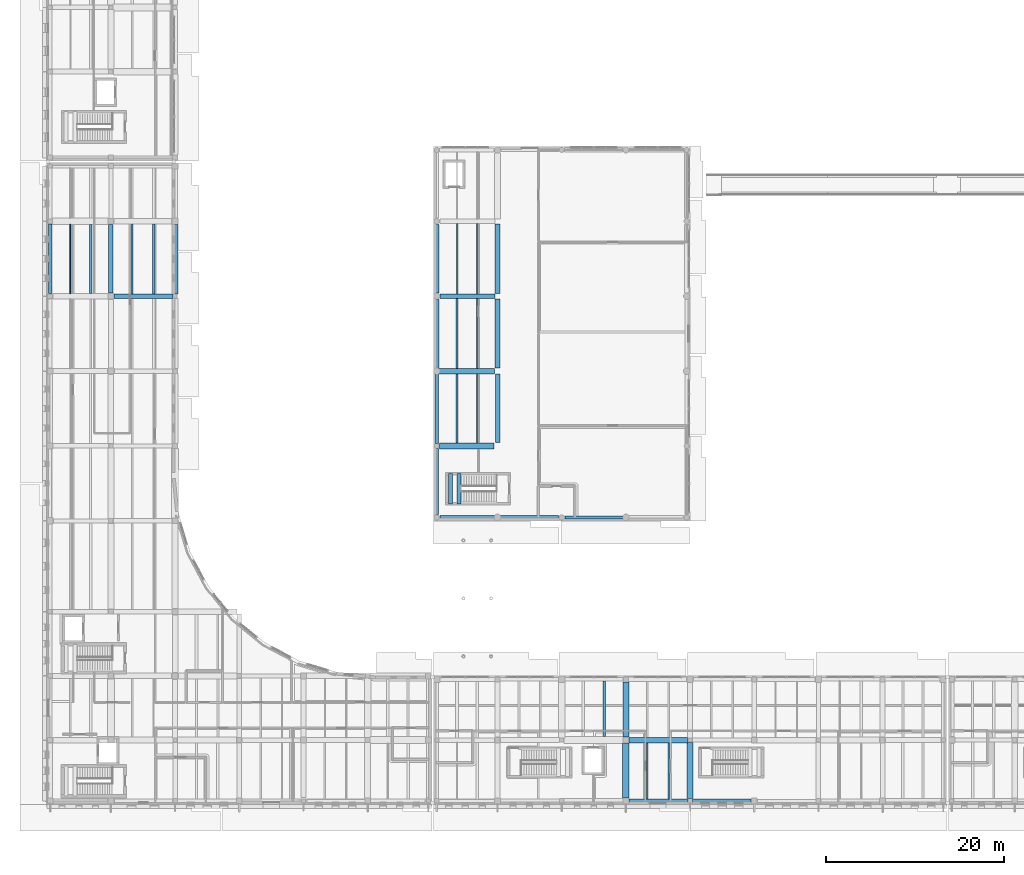
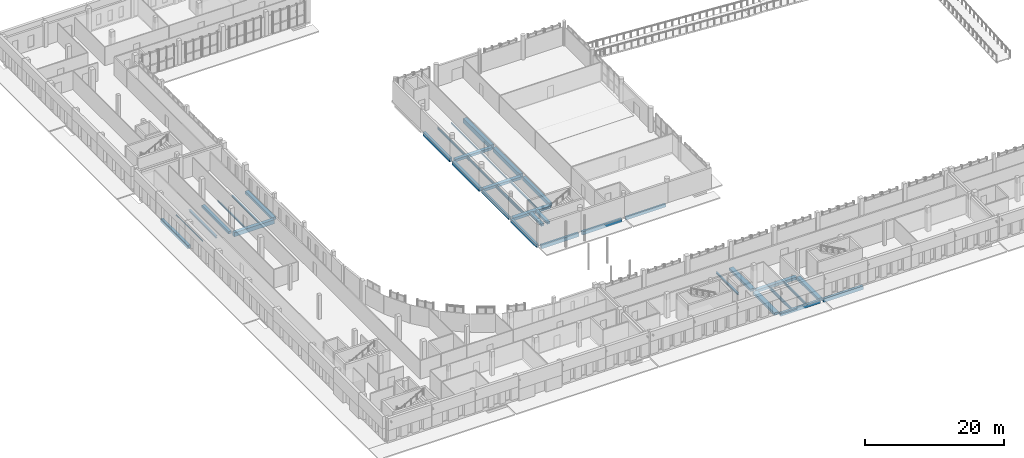
# One storey, part 13 of 77: 38 beams.
"""IFC4 building model written with IfcOpenShell, lengths in metres."""

from ifc_helpers import new_model, si_unit, direction, frame, origin, origin_2d, place, context, subcontext, project, spatial, rectangle, i_section, extrude, material, material_profile, profile_set, type_object, element, save


model = new_model("IFC4")

# Units and contexts
model_context = context("Model", 3, precision=1e-05, world=origin(), true_north=direction((0.0, 1.0)))
body_context = subcontext(model_context, "Body", "Model", "MODEL_VIEW")
ifc_project = project(units=[si_unit("LENGTHUNIT", "METRE"), si_unit("AREAUNIT", "SQUARE_METRE"), si_unit("VOLUMEUNIT", "CUBIC_METRE"), si_unit("PLANEANGLEUNIT", "RADIAN"), si_unit("MASSUNIT", "GRAM", prefix="KILO")], contexts=[model_context])

# Site, building, storey
site_placement = place(None, origin())
site = spatial("IfcSite", under=ifc_project, at=site_placement, CompositionType="ELEMENT")
building_placement = place(site_placement, origin())
building = spatial("IfcBuilding", under=site, at=building_placement, Name="Vardoun Plaza Health Centre", CompositionType="ELEMENT")
storey_placement = place(building_placement, origin())
storey = spatial("IfcBuildingStorey", under=building, at=storey_placement, Name="L00", CompositionType="ELEMENT", Elevation=0.0)

# Beams
ifc_material_1 = material(Name="Concrete C35/45", Category="concrete")
ifc_material_profile_1 = material_profile(ifc_material_1, rectangle(XDim=0.35009765625, YDim=0.5, at=origin_2d()), Name="RC-BM 350x500")
ifc_profile_set_1 = profile_set([ifc_material_profile_1], Name="Concrete C35/45")
beam_type_1 = type_object("IfcBeamType", Name="B-08", PredefinedType="SPANDREL", material=ifc_profile_set_1)
beam_1_placement = place(storey_placement, frame((62.6298828125, 36.679931640625, -0.530029296875), z_axis=(1.0, 0.0, 0.0), x_axis=(0.0, 1.0, 0.0)))
element("IfcBeam", 1, at=beam_1_placement, inside=storey, type_object=beam_type_1, Name="V1 L00 Beam B-V1-L00-X09", PredefinedType="SPANDREL", context=body_context, shape_type="SweptSolid", body=[
    extrude(rectangle(XDim=0.35009765625, YDim=0.5, at=origin_2d()), origin(), (0.0, 0.0, 1.0), 6.5751953125),
])
beam_2_placement = place(storey_placement, frame((48.260009765625, 45.0, -0.530029296875), z_axis=(0.0, 1.0, 0.0), x_axis=(-1.0, 0.0, 0.0)))
element("IfcBeam", 2, at=beam_2_placement, inside=storey, type_object=beam_type_1, Name="V1 L00 Beam B-V1-L00-Y14", PredefinedType="SPANDREL", context=body_context, shape_type="SweptSolid", body=[
    extrude(rectangle(XDim=0.35009765625, YDim=0.5, at=origin_2d()), origin(), (0.0, 0.0, 1.0), 7.824951171875),
])
ifc_material_2 = material(Name="Concrete C35/45", Category="concrete")
ifc_material_profile_2 = material_profile(ifc_material_2, rectangle(XDim=0.39990234375, YDim=0.550048828125, at=origin_2d()), Name="RC-BM 400x550")
ifc_profile_set_2 = profile_set([ifc_material_profile_2], Name="Concrete C35/45")
beam_type_2 = type_object("IfcBeamType", Name="B-09", PredefinedType="SPANDREL", material=ifc_profile_set_2)
beam_3_placement = place(storey_placement, frame((48.260009765625, 37.030029296875, -0.554931640625), z_axis=(0.0, 1.0, 0.0), x_axis=(-1.0, 0.0, 0.0)))
element("IfcBeam", 3, at=beam_3_placement, inside=storey, type_object=beam_type_2, Name="V1 L00 Beam B-V1-L00-Y13", PredefinedType="SPANDREL", context=body_context, shape_type="SweptSolid", body=[
    extrude(rectangle(XDim=0.39990234375, YDim=0.550048828125, at=origin_2d()), origin(), (0.0, 0.0, 1.0), 7.3701171875),
])
beam_4_placement = place(storey_placement, frame((69.830078125, 4.8798828125, -0.590087890625), z_axis=(1.0, 0.0, 0.0), x_axis=(0.0, 1.0, 0.0)))
element("IfcBeam", 4, at=beam_4_placement, inside=storey, type_object=beam_type_2, Name="V4 L00 Beam B-V4-L00-X10", PredefinedType="SPANDREL", context=body_context, shape_type="SweptSolid", body=[
    extrude(rectangle(XDim=0.39990234375, YDim=0.550048828125, at=origin_2d()), origin(), (0.0, 0.0, 1.0), 6.574951171875),
])
ifc_material_3 = material(Name="Concrete C35/45", Category="concrete")
ifc_material_profile_3 = material_profile(ifc_material_3, rectangle(XDim=0.419921875, YDim=0.580078125, at=origin_2d()), Name="RC-BM 420x580")
ifc_profile_set_3 = profile_set([ifc_material_profile_3], Name="Concrete C35/45")
beam_type_3 = type_object("IfcBeamType", Name="B-10", PredefinedType="SPANDREL", material=ifc_profile_set_3)
beam_5_placement = place(storey_placement, frame((55.35498046875, 36.679931640625, -0.570068359375), z_axis=(1.0, 0.0, 0.0), x_axis=(0.0, 1.0, 0.0)))
element("IfcBeam", 5, at=beam_5_placement, inside=storey, type_object=beam_type_3, Name="V1 L00 Beam B-V1-L00-X07", PredefinedType="SPANDREL", context=body_context, shape_type="SweptSolid", body=[
    extrude(rectangle(XDim=0.419921875, YDim=0.580078125, at=origin_2d()), origin(), (0.0, 0.0, 1.0), 6.574951171875),
])
beam_6_placement = place(storey_placement, frame((4.8798828125, 61.800048828125, -0.570068359375), z_axis=(0.0, 1.0, 0.0), x_axis=(-1.0, 0.0, 0.0)))
element("IfcBeam", 6, at=beam_6_placement, inside=storey, type_object=beam_type_3, Name="V2 L00 Beam B-V2-L00-Y41", PredefinedType="SPANDREL", context=body_context, shape_type="SweptSolid", body=[
    extrude(rectangle(XDim=0.419921875, YDim=0.580078125, at=origin_2d()), origin(), (0.0, 0.0, 1.0), 7.824951171875),
])
ifc_material_4 = material(Name="Concrete C35/45", Category="concrete")
ifc_material_profile_4 = material_profile(ifc_material_4, rectangle(XDim=0.449951171875, YDim=0.3798828125, at=origin_2d()), Name="RC-BM 450x380")
ifc_profile_set_4 = profile_set([ifc_material_profile_4], Name="Concrete C35/45")
beam_type_4 = type_object("IfcBeamType", Name="B-01", PredefinedType="BEAM", material=ifc_profile_set_4)
for number, where, z_axis, x_axis, name in (
    (7, (49.780029296875, 38.199951171875, 1.860107421875), (0.0, 1.0, 0.0), (-1.0, 0.0, 0.0), "Stair ST-C5-L00 Landing Beam 1"),
    (8, (50.780029296875, 38.199951171875, 1.860107421875), (0.0, 1.0, 0.0), (-1.0, 0.0, 0.0), "Stair ST-C5-L00 Landing Beam 2"),
):
    element("IfcBeam", number, at=place(storey_placement, frame(where, z_axis=z_axis, x_axis=x_axis)), inside=storey, type_object=beam_type_4, Name=name, PredefinedType="BEAM", context=body_context, shape_type="SweptSolid", body=[
        extrude(rectangle(XDim=0.449951171875, YDim=0.3798828125, at=origin_2d()), origin(), (0.0, 0.0, 1.0), 3.400146484375),
    ])
ifc_material_5 = material(Name="Concrete C35/45", Category="concrete")
ifc_material_profile_5 = material_profile(ifc_material_5, rectangle(XDim=0.449951171875, YDim=0.60009765625, at=origin_2d()), Name="RC-BM 450x600")
ifc_profile_set_5 = profile_set([ifc_material_profile_5], Name="Concrete C35/45")
beam_type_5 = type_object("IfcBeamType", Name="B-11", PredefinedType="SPANDREL", material=ifc_profile_set_5)
beam_7_placement = place(storey_placement, frame((48.610107421875, 36.679931640625, -0.580078125), z_axis=(1.0, 0.0, 0.0), x_axis=(0.0, 1.0, 0.0)))
element("IfcBeam", 9, at=beam_7_placement, inside=storey, type_object=beam_type_5, Name="V1 L00 Beam B-V1-L00-X01", PredefinedType="SPANDREL", context=body_context, shape_type="SweptSolid", body=[
    extrude(rectangle(XDim=0.449951171875, YDim=0.60009765625, at=origin_2d()), origin(), (0.0, 0.0, 1.0), 6.19482421875),
])
beam_8_placement = place(storey_placement, frame((48.260009765625, 61.875, -0.580078125), z_axis=(0.0, 1.0, 0.0), x_axis=(-1.0, 0.0, 0.0)))
element("IfcBeam", 10, at=beam_8_placement, inside=storey, type_object=beam_type_5, Name="V1 L00 Beam B-V1-L00-Y16", PredefinedType="SPANDREL", context=body_context, shape_type="SweptSolid", body=[
    extrude(rectangle(XDim=0.449951171875, YDim=0.60009765625, at=origin_2d()), origin(), (0.0, 0.0, 1.0), 7.675048828125),
])
beam_9_placement = place(storey_placement, frame((76.955078125, 4.8798828125, -0.614990234375), z_axis=(1.0, 0.0, 0.0), x_axis=(0.0, 1.0, 0.0)))
element("IfcBeam", 11, at=beam_9_placement, inside=storey, type_object=beam_type_5, Name="V4 L00 Beam B-V4-L00-X13", PredefinedType="SPANDREL", context=body_context, shape_type="SweptSolid", body=[
    extrude(rectangle(XDim=0.449951171875, YDim=0.60009765625, at=origin_2d()), origin(), (0.0, 0.0, 1.0), 6.574951171875),
])
ifc_material_6 = material(Name="Concrete C35/45", Category="concrete")
ifc_material_profile_6 = material_profile(ifc_material_6, rectangle(XDim=0.47998046875, YDim=0.6201171875, at=origin_2d()), Name="RC-BM 480x620")
ifc_profile_set_6 = profile_set([ifc_material_profile_6], Name="Concrete C35/45")
beam_type_6 = type_object("IfcBeamType", Name="B-12", PredefinedType="SPANDREL", material=ifc_profile_set_6)
beam_10_placement = place(storey_placement, frame((48.260009765625, 53.375, -0.590087890625), z_axis=(0.0, 1.0, 0.0), x_axis=(-1.0, 0.0, 0.0)))
element("IfcBeam", 12, at=beam_10_placement, inside=storey, type_object=beam_type_6, Name="V1 L00 Beam B-V1-L00-Y15", PredefinedType="SPANDREL", context=body_context, shape_type="SweptSolid", body=[
    extrude(rectangle(XDim=0.47998046875, YDim=0.6201171875, at=origin_2d()), origin(), (0.0, 0.0, 1.0), 7.75),
])
ifc_material_7 = material(Name="Concrete C35/45", Category="concrete")
ifc_material_profile_7 = material_profile(ifc_material_7, rectangle(XDim=0.5, YDim=0.39990234375, at=origin_2d()), Name="RC-BM 500x400")
ifc_profile_set_7 = profile_set([ifc_material_profile_7], Name="Concrete C35/45")
beam_type_7 = type_object("IfcBeamType", Name="B-02", PredefinedType="BEAM", material=ifc_profile_set_7)
beam_11_placement = place(storey_placement, frame((11.699951171875, 61.85009765625, -0.47998046875), z_axis=(0.0, 1.0, 0.0), x_axis=(-1.0, 0.0, 0.0)))
element("IfcBeam", 13, at=beam_11_placement, inside=storey, type_object=beam_type_7, Name="V2 L00 Beam B-V2-L00-Y48", PredefinedType="BEAM", context=body_context, shape_type="SweptSolid", body=[
    extrude(rectangle(XDim=0.5, YDim=0.39990234375, at=origin_2d()), origin(), (0.0, 0.0, 1.0), 7.724853515625),
])
ifc_material_8 = material(Name="Concrete C40/50", Category="concrete")
ifc_material_profile_8 = material_profile(ifc_material_8, rectangle(XDim=0.5, YDim=0.64990234375, at=origin_2d()), Name="RC-BM 500x650")
ifc_profile_set_8 = profile_set([ifc_material_profile_8], Name="Concrete C40/50")
beam_type_8 = type_object("IfcBeamType", Name="B-13", PredefinedType="BEAM", material=ifc_profile_set_8)
beam_12_placement = place(storey_placement, frame((55.080078125, 45.074951171875, -0.60498046875), z_axis=(0.0, 1.0, 0.0), x_axis=(-1.0, 0.0, 0.0)))
element("IfcBeam", 14, at=beam_12_placement, inside=storey, type_object=beam_type_8, Name="V1 L00 Beam B-V1-L00-Y18", PredefinedType="BEAM", context=body_context, shape_type="SweptSolid", body=[
    extrude(rectangle(XDim=0.5, YDim=0.64990234375, at=origin_2d()), origin(), (0.0, 0.0, 1.0), 7.675048828125),
])
ifc_material_9 = material(Name="Concrete C35/45", Category="concrete")
ifc_material_profile_9 = material_profile(ifc_material_9, rectangle(XDim=0.550048828125, YDim=0.419921875, at=origin_2d()), Name="RC-BM 550x420")
ifc_profile_set_9 = profile_set([ifc_material_profile_9], Name="Concrete C35/45")
beam_type_9 = type_object("IfcBeamType", Name="B-03", PredefinedType="BEAM", material=ifc_profile_set_9)
beam_13_placement = place(storey_placement, frame((48.635009765625, 61.5, -0.489990234375), z_axis=(1.0, 0.0, 0.0), x_axis=(0.0, 1.0, 0.0)))
element("IfcBeam", 15, at=beam_13_placement, inside=storey, type_object=beam_type_9, Name="V1 L00 Beam B-V1-L00-X04", PredefinedType="BEAM", context=body_context, shape_type="SweptSolid", body=[
    extrude(rectangle(XDim=0.550048828125, YDim=0.419921875, at=origin_2d()), origin(), (0.0, 0.0, 1.0), 6.14501953125),
])
ifc_material_10 = material(Name="Concrete C40/50", Category="concrete")
ifc_material_profile_10 = material_profile(ifc_material_10, rectangle(XDim=0.550048828125, YDim=0.719970703125, at=origin_2d()), Name="RC-BM 550x720")
ifc_profile_set_10 = profile_set([ifc_material_profile_10], Name="Concrete C40/50")
beam_type_10 = type_object("IfcBeamType", Name="B-14", PredefinedType="BEAM", material=ifc_profile_set_10)
beam_14_placement = place(storey_placement, frame((55.080078125, 53.449951171875, -0.639892578125), z_axis=(0.0, 1.0, 0.0), x_axis=(-1.0, 0.0, 0.0)))
element("IfcBeam", 16, at=beam_14_placement, inside=storey, type_object=beam_type_10, Name="V1 L00 Beam B-V1-L00-Y19", PredefinedType="BEAM", context=body_context, shape_type="SweptSolid", body=[
    extrude(rectangle(XDim=0.550048828125, YDim=0.719970703125, at=origin_2d()), origin(), (0.0, 0.0, 1.0), 7.75),
])
beam_15_placement = place(storey_placement, frame((12.050048828125, 61.5, -0.639892578125), z_axis=(1.0, 0.0, 0.0), x_axis=(0.0, 1.0, 0.0)))
element("IfcBeam", 17, at=beam_15_placement, inside=storey, type_object=beam_type_10, Name="V2 L00 Beam B-V2-L00-X18", PredefinedType="BEAM", context=body_context, shape_type="SweptSolid", body=[
    extrude(rectangle(XDim=0.550048828125, YDim=0.719970703125, at=origin_2d()), origin(), (0.0, 0.0, 1.0), 6.599853515625),
])
ifc_material_11 = material(Name="Concrete C35/45", Category="concrete")
ifc_material_profile_11 = material_profile(ifc_material_11, rectangle(XDim=0.60009765625, YDim=0.449951171875, at=origin_2d()), Name="RC-BM 600x450")
ifc_profile_set_11 = profile_set([ifc_material_profile_11], Name="Concrete C35/45")
beam_type_11 = type_object("IfcBeamType", Name="B-04", PredefinedType="BEAM", material=ifc_profile_set_11)
beam_16_placement = place(storey_placement, frame((48.534912109375, 53.10009765625, -0.5048828125), z_axis=(1.0, 0.0, 0.0), x_axis=(0.0, 1.0, 0.0)))
element("IfcBeam", 18, at=beam_16_placement, inside=storey, type_object=beam_type_11, Name="V1 L00 Beam B-V1-L00-X03", PredefinedType="BEAM", context=body_context, shape_type="SweptSolid", body=[
    extrude(rectangle(XDim=0.60009765625, YDim=0.449951171875, at=origin_2d()), origin(), (0.0, 0.0, 1.0), 6.195068359375),
])
beam_17_placement = place(storey_placement, frame((18.89990234375, 61.75, -0.5048828125), z_axis=(0.0, 1.0, 0.0), x_axis=(-1.0, 0.0, 0.0)))
element("IfcBeam", 19, at=beam_17_placement, inside=storey, type_object=beam_type_11, Name="V2 L00 Beam B-V2-L00-Y57", PredefinedType="BEAM", context=body_context, shape_type="SweptSolid", body=[
    extrude(rectangle(XDim=0.60009765625, YDim=0.449951171875, at=origin_2d()), origin(), (0.0, 0.0, 1.0), 7.775146484375),
])
beam_18_placement = place(storey_placement, frame((69.804931640625, 11.699951171875, -0.5400390625), z_axis=(1.0, 0.0, 0.0), x_axis=(0.0, 1.0, 0.0)))
element("IfcBeam", 20, at=beam_18_placement, inside=storey, type_object=beam_type_11, Name="V4 L00 Beam B-V4-L00-X11", PredefinedType="BEAM", context=body_context, shape_type="SweptSolid", body=[
    extrude(rectangle(XDim=0.60009765625, YDim=0.449951171875, at=origin_2d()), origin(), (0.0, 0.0, 1.0), 6.625),
])
ifc_material_12 = material(Name="Concrete C40/50", Category="concrete")
ifc_material_profile_12 = material_profile(ifc_material_12, rectangle(XDim=0.60009765625, YDim=0.800048828125, at=origin_2d()), Name="RC-BM 600x800")
ifc_profile_set_12 = profile_set([ifc_material_profile_12], Name="Concrete C40/50")
beam_type_12 = type_object("IfcBeamType", Name="B-15", PredefinedType="JOIST", material=ifc_profile_set_12)
beam_19_placement = place(storey_placement, frame((55.080078125, 61.800048828125, -0.679931640625), z_axis=(0.0, 1.0, 0.0), x_axis=(-1.0, 0.0, 0.0)))
element("IfcBeam", 21, at=beam_19_placement, inside=storey, type_object=beam_type_12, Name="V1 L00 Beam B-V1-L00-Y20", PredefinedType="JOIST", context=body_context, shape_type="SweptSolid", body=[
    extrude(rectangle(XDim=0.60009765625, YDim=0.800048828125, at=origin_2d()), origin(), (0.0, 0.0, 1.0), 7.824951171875),
])
ifc_material_13 = material(Name="Concrete C35/45", Category="concrete")
ifc_material_profile_13 = material_profile(ifc_material_13, rectangle(XDim=0.64990234375, YDim=0.449951171875, at=origin_2d()), Name="RC-BM 650x450")
ifc_profile_set_13 = profile_set([ifc_material_profile_13], Name="Concrete C35/45")
beam_type_13 = type_object("IfcBeamType", Name="B-05", PredefinedType="BEAM", material=ifc_profile_set_13)
beam_20_placement = place(storey_placement, frame((48.56005859375, 44.699951171875, -0.5048828125), z_axis=(1.0, 0.0, 0.0), x_axis=(0.0, 1.0, 0.0)))
element("IfcBeam", 22, at=beam_20_placement, inside=storey, type_object=beam_type_13, Name="V1 L00 Beam B-V1-L00-X02", PredefinedType="BEAM", context=body_context, shape_type="SweptSolid", body=[
    extrude(rectangle(XDim=0.64990234375, YDim=0.449951171875, at=origin_2d()), origin(), (0.0, 0.0, 1.0), 6.14501953125),
])
beam_21_placement = place(storey_placement, frame((76.679931640625, 5.155029296875, -0.5400390625), z_axis=(0.0, 1.0, 0.0), x_axis=(-1.0, 0.0, 0.0)))
element("IfcBeam", 23, at=beam_21_placement, inside=storey, type_object=beam_type_13, Name="V4 L00 Beam B-V4-L00-Y32", PredefinedType="BEAM", context=body_context, shape_type="SweptSolid", body=[
    extrude(rectangle(XDim=0.64990234375, YDim=0.449951171875, at=origin_2d()), origin(), (0.0, 0.0, 1.0), 6.294921875),
])
ifc_material_14 = material(Name="Concrete C35/45", Category="concrete")
ifc_material_profile_14 = material_profile(ifc_material_14, rectangle(XDim=0.699951171875, YDim=0.449951171875, at=origin_2d()), Name="RC-BM 700x450")
ifc_profile_set_14 = profile_set([ifc_material_profile_14], Name="Concrete C35/45")
beam_type_14 = type_object("IfcBeamType", Name="B-06", PredefinedType="BEAM", material=ifc_profile_set_14)
beam_22_placement = place(storey_placement, frame((69.47998046875, 12.02490234375, -0.5400390625), z_axis=(0.0, 1.0, 0.0), x_axis=(-1.0, 0.0, 0.0)))
element("IfcBeam", 24, at=beam_22_placement, inside=storey, type_object=beam_type_14, Name="V4 L00 Beam B-V4-L00-Y31", PredefinedType="BEAM", context=body_context, shape_type="SweptSolid", body=[
    extrude(rectangle(XDim=0.699951171875, YDim=0.449951171875, at=origin_2d()), origin(), (0.0, 0.0, 1.0), 6.195068359375),
])
ifc_material_15 = material(Name="Concrete C35/45", Category="concrete")
ifc_material_profile_15 = material_profile(ifc_material_15, rectangle(XDim=0.75, YDim=0.47998046875, at=origin_2d()), Name="RC-BM 750x480")
ifc_profile_set_15 = profile_set([ifc_material_profile_15], Name="Concrete C35/45")
beam_type_15 = type_object("IfcBeamType", Name="B-07", PredefinedType="BEAM", material=ifc_profile_set_15)
beam_23_placement = place(storey_placement, frame((69.47998046875, 5.22998046875, -0.554931640625), z_axis=(0.0, 1.0, 0.0), x_axis=(-1.0, 0.0, 0.0)))
element("IfcBeam", 25, at=beam_23_placement, inside=storey, type_object=beam_type_15, Name="V4 L00 Beam B-V4-L00-Y30", PredefinedType="BEAM", context=body_context, shape_type="SweptSolid", body=[
    extrude(rectangle(XDim=0.75, YDim=0.47998046875, at=origin_2d()), origin(), (0.0, 0.0, 1.0), 6.14501953125),
])
ifc_material_16 = material(Name="Steel S355J2", Category="steel")
ifc_material_profile_16 = material_profile(ifc_material_16, i_section(OverallWidth=0.280029296875, OverallDepth=0.27001953125, WebThickness=0.008056640625, FlangeThickness=0.012939453125, FilletRadius=0.02392578125, at=origin_2d()), Name="HEA 280")
ifc_profile_set_16 = profile_set([ifc_material_profile_16], Name="Steel S355J2")
beam_type_16 = type_object("IfcBeamType", Name="SB-06", PredefinedType="BEAM", material=ifc_profile_set_16)
beam_24_placement = place(storey_placement, frame((16.500244140625, 61.775146484375, -0.4150390625), z_axis=(0.0, 1.0, 0.0), x_axis=(-1.0, 0.0, 0.0)))
element("IfcBeam", 26, at=beam_24_placement, inside=storey, type_object=beam_type_16, Name="V2 L00 Secondary Floor Beam SJ-V2-L00-27", PredefinedType="BEAM", context=body_context, shape_type="SweptSolid", body=[
    extrude(i_section(OverallWidth=0.280029296875, OverallDepth=0.27001953125, WebThickness=0.008056640625, FlangeThickness=0.012939453125, FilletRadius=0.02392578125, at=origin_2d()), origin(), (0.0, 0.0, 1.0), 7.824951171875),
])
ifc_material_17 = material(Name="Steel S355J2", Category="steel")
ifc_material_profile_17 = material_profile(ifc_material_17, i_section(OverallWidth=0.280029296875, OverallDepth=0.280029296875, WebThickness=0.010498046875, FlangeThickness=0.01806640625, FilletRadius=0.02392578125, at=origin_2d()), Name="HEB 280")
ifc_profile_set_17 = profile_set([ifc_material_profile_17], Name="Steel S355J2")
beam_type_17 = type_object("IfcBeamType", Name="SB-02", PredefinedType="BEAM", material=ifc_profile_set_17)
beam_25_placement = place(storey_placement, frame((67.080078125, 12.074951171875, -0.455078125), z_axis=(0.0, 1.0, 0.0), x_axis=(-1.0, 0.0, 0.0)))
element("IfcBeam", 27, at=beam_25_placement, inside=storey, type_object=beam_type_17, Name="V4 L00 Secondary Floor Beam SJ-V4-L00-08", PredefinedType="BEAM", context=body_context, shape_type="SweptSolid", body=[
    extrude(i_section(OverallWidth=0.280029296875, OverallDepth=0.280029296875, WebThickness=0.010498046875, FlangeThickness=0.01806640625, FilletRadius=0.02392578125, at=origin_2d()), origin(), (0.0, 0.0, 1.0), 6.235107421875),
])
ifc_material_18 = material(Name="Steel S355J2", Category="steel")
ifc_material_profile_18 = material_profile(ifc_material_18, i_section(OverallWidth=0.300048828125, OverallDepth=0.360107421875, WebThickness=0.012451171875, FlangeThickness=0.0224609375, FilletRadius=0.027099609375, at=origin_2d()), Name="HEB 360")
ifc_profile_set_18 = profile_set([ifc_material_profile_18], Name="Steel S355J2")
beam_type_18 = type_object("IfcBeamType", Name="RB-04", PredefinedType="BEAM", material=ifc_profile_set_18)
beam_26_placement = place(storey_placement, frame((9.427001953125, 61.800048828125, -0.4599609375), z_axis=(0.0, 1.0, 0.0), x_axis=(-1.0, 0.0, 0.0)))
element("IfcBeam", 28, at=beam_26_placement, inside=storey, type_object=beam_type_18, Name="V2 L00 Secondary Floor Beam SJ-V2-L00-13", PredefinedType="BEAM", context=body_context, shape_type="SweptSolid", body=[
    extrude(i_section(OverallWidth=0.300048828125, OverallDepth=0.360107421875, WebThickness=0.012451171875, FlangeThickness=0.0224609375, FilletRadius=0.027099609375, at=origin_2d()), origin(), (0.0, 0.0, 1.0), 7.75),
])
ifc_material_19 = material(Name="Steel S355J2", Category="steel")
ifc_material_profile_19 = material_profile(ifc_material_19, i_section(OverallWidth=0.10009765625, OverallDepth=0.199951171875, WebThickness=0.005615234375, FlangeThickness=0.008544921875, FilletRadius=0.011962890625, at=origin_2d()), Name="IPE 200")
ifc_profile_set_19 = profile_set([ifc_material_profile_19], Name="Steel S355J2")
beam_type_19 = type_object("IfcBeamType", Name="SB-19", PredefinedType="SPANDREL", material=ifc_profile_set_19)
beam_27_placement = place(storey_placement, frame((7.153076171875, 61.800048828125, -0.3798828125), z_axis=(0.0, 1.0, 0.0), x_axis=(-1.0, 0.0, 0.0)))
element("IfcBeam", 29, at=beam_27_placement, inside=storey, type_object=beam_type_19, Name="V2 L00 Secondary Floor Beam SJ-V2-L00-06", PredefinedType="SPANDREL", context=body_context, shape_type="SweptSolid", body=[
    extrude(i_section(OverallWidth=0.10009765625, OverallDepth=0.199951171875, WebThickness=0.005615234375, FlangeThickness=0.008544921875, FilletRadius=0.011962890625, at=origin_2d()), origin(), (0.0, 0.0, 1.0), 7.75),
])
ifc_material_20 = material(Name="Steel S355J2", Category="steel")
ifc_material_profile_20 = material_profile(ifc_material_20, i_section(OverallWidth=0.1201171875, OverallDepth=0.239990234375, WebThickness=0.006103515625, FlangeThickness=0.009765625, FilletRadius=0.014892578125, at=origin_2d()), Name="IPE 240")
ifc_profile_set_20 = profile_set([ifc_material_profile_20], Name="Steel S355J2")
beam_type_20 = type_object("IfcBeamType", Name="SB-17", PredefinedType="JOIST", material=ifc_profile_set_20)
beam_28_placement = place(storey_placement, frame((52.806884765625, 61.775146484375, -0.39990234375), z_axis=(0.0, 1.0, 0.0), x_axis=(-1.0, 0.0, 0.0)))
element("IfcBeam", 30, at=beam_28_placement, inside=storey, type_object=beam_type_20, Name="V1 L00 Secondary Floor Beam SJ-V1-L00-07", PredefinedType="JOIST", context=body_context, shape_type="SweptSolid", body=[
    extrude(i_section(OverallWidth=0.1201171875, OverallDepth=0.239990234375, WebThickness=0.006103515625, FlangeThickness=0.009765625, FilletRadius=0.014892578125, at=origin_2d()), origin(), (0.0, 0.0, 1.0), 7.875),
])
ifc_material_21 = material(Name="Steel S355J2", Category="steel")
ifc_material_profile_21 = material_profile(ifc_material_21, i_section(OverallWidth=0.135009765625, OverallDepth=0.27001953125, WebThickness=0.006591796875, FlangeThickness=0.01025390625, FilletRadius=0.014892578125, at=origin_2d()), Name="IPE 270")
ifc_profile_set_21 = profile_set([ifc_material_profile_21], Name="Steel S355J2")
beam_type_21 = type_object("IfcBeamType", Name="SB-16", PredefinedType="JOIST", material=ifc_profile_set_21)
beam_29_placement = place(storey_placement, frame((52.806884765625, 53.400146484375, -0.4150390625), z_axis=(0.0, 1.0, 0.0), x_axis=(-1.0, 0.0, 0.0)))
element("IfcBeam", 31, at=beam_29_placement, inside=storey, type_object=beam_type_21, Name="V1 L00 Secondary Floor Beam SJ-V1-L00-06", PredefinedType="JOIST", context=body_context, shape_type="SweptSolid", body=[
    extrude(i_section(OverallWidth=0.135009765625, OverallDepth=0.27001953125, WebThickness=0.006591796875, FlangeThickness=0.01025390625, FilletRadius=0.014892578125, at=origin_2d()), origin(), (0.0, 0.0, 1.0), 7.824951171875),
])
ifc_material_22 = material(Name="Steel S355J2", Category="steel")
ifc_material_profile_22 = material_profile(ifc_material_22, i_section(OverallWidth=0.14990234375, OverallDepth=0.300048828125, WebThickness=0.007080078125, FlangeThickness=0.0107421875, FilletRadius=0.014892578125, at=origin_2d()), Name="IPE 300")
ifc_profile_set_22 = profile_set([ifc_material_profile_22], Name="Steel S355J2")
beam_type_22 = type_object("IfcBeamType", Name="SB-15", PredefinedType="JOIST", material=ifc_profile_set_22)
beam_30_placement = place(storey_placement, frame((52.806884765625, 45.025146484375, -0.429931640625), z_axis=(0.0, 1.0, 0.0), x_axis=(-1.0, 0.0, 0.0)))
element("IfcBeam", 32, at=beam_30_placement, inside=storey, type_object=beam_type_22, Name="V1 L00 Secondary Floor Beam SJ-V1-L00-05", PredefinedType="JOIST", context=body_context, shape_type="SweptSolid", body=[
    extrude(i_section(OverallWidth=0.14990234375, OverallDepth=0.300048828125, WebThickness=0.007080078125, FlangeThickness=0.0107421875, FilletRadius=0.014892578125, at=origin_2d()), origin(), (0.0, 0.0, 1.0), 7.77490234375),
])
beam_31_placement = place(storey_placement, frame((14.099853515625, 61.775146484375, -0.429931640625), z_axis=(0.0, 1.0, 0.0), x_axis=(-1.0, 0.0, 0.0)))
element("IfcBeam", 33, at=beam_31_placement, inside=storey, type_object=beam_type_22, Name="V2 L00 Secondary Floor Beam SJ-V2-L00-20", PredefinedType="JOIST", context=body_context, shape_type="SweptSolid", body=[
    extrude(i_section(OverallWidth=0.14990234375, OverallDepth=0.300048828125, WebThickness=0.007080078125, FlangeThickness=0.0107421875, FilletRadius=0.014892578125, at=origin_2d()), origin(), (0.0, 0.0, 1.0), 7.824951171875),
])
ifc_material_23 = material(Name="Steel S355J2", Category="steel")
ifc_material_profile_23 = material_profile(ifc_material_23, i_section(OverallWidth=0.169921875, OverallDepth=0.360107421875, WebThickness=0.008056640625, FlangeThickness=0.0126953125, FilletRadius=0.01806640625, at=origin_2d()), Name="IPE 360")
ifc_profile_set_23 = profile_set([ifc_material_profile_23], Name="Steel S355J2")
beam_type_23 = type_object("IfcBeamType", Name="SB-13", PredefinedType="JOIST", material=ifc_profile_set_23)
beam_32_placement = place(storey_placement, frame((50.533203125, 61.775146484375, -0.4599609375), z_axis=(0.0, 1.0, 0.0), x_axis=(-1.0, 0.0, 0.0)))
element("IfcBeam", 34, at=beam_32_placement, inside=storey, type_object=beam_type_23, Name="V1 L00 Secondary Floor Beam SJ-V1-L00-03", PredefinedType="JOIST", context=body_context, shape_type="SweptSolid", body=[
    extrude(i_section(OverallWidth=0.169921875, OverallDepth=0.360107421875, WebThickness=0.008056640625, FlangeThickness=0.0126953125, FilletRadius=0.01806640625, at=origin_2d()), origin(), (0.0, 0.0, 1.0), 7.875),
])
ifc_material_24 = material(Name="Steel S355J2", Category="steel")
ifc_material_profile_24 = material_profile(ifc_material_24, i_section(OverallWidth=0.179931640625, OverallDepth=0.39990234375, WebThickness=0.008544921875, FlangeThickness=0.013427734375, FilletRadius=0.02099609375, at=origin_2d()), Name="IPE 400")
ifc_profile_set_24 = profile_set([ifc_material_profile_24], Name="Steel S355J2")
beam_type_24 = type_object("IfcBeamType", Name="SB-12", PredefinedType="BEAM", material=ifc_profile_set_24)
beam_33_placement = place(storey_placement, frame((50.533203125, 53.400146484375, -0.47998046875), z_axis=(0.0, 1.0, 0.0), x_axis=(-1.0, 0.0, 0.0)))
element("IfcBeam", 35, at=beam_33_placement, inside=storey, type_object=beam_type_24, Name="V1 L00 Secondary Floor Beam SJ-V1-L00-02", PredefinedType="BEAM", context=body_context, shape_type="SweptSolid", body=[
    extrude(i_section(OverallWidth=0.179931640625, OverallDepth=0.39990234375, WebThickness=0.008544921875, FlangeThickness=0.013427734375, FilletRadius=0.02099609375, at=origin_2d()), origin(), (0.0, 0.0, 1.0), 7.824951171875),
])
beam_34_placement = place(storey_placement, frame((74.2802734375, 5.080078125, -0.514892578125), z_axis=(0.0, 1.0, 0.0), x_axis=(-1.0, 0.0, 0.0)))
element("IfcBeam", 36, at=beam_34_placement, inside=storey, type_object=beam_type_24, Name="V4 L00 Secondary Floor Beam SJ-V4-L00-11", PredefinedType="BEAM", context=body_context, shape_type="SweptSolid", body=[
    extrude(i_section(OverallWidth=0.179931640625, OverallDepth=0.39990234375, WebThickness=0.008544921875, FlangeThickness=0.013427734375, FilletRadius=0.02099609375, at=origin_2d()), origin(), (0.0, 0.0, 1.0), 6.31982421875),
])
ifc_material_25 = material(Name="Steel S355J2", Category="steel")
ifc_material_profile_25 = material_profile(ifc_material_25, i_section(OverallWidth=0.18994140625, OverallDepth=0.449951171875, WebThickness=0.009521484375, FlangeThickness=0.0146484375, FilletRadius=0.02099609375, at=origin_2d()), Name="IPE 450")
ifc_profile_set_25 = profile_set([ifc_material_profile_25], Name="Steel S355J2")
beam_type_25 = type_object("IfcBeamType", Name="SB-11", PredefinedType="BEAM", material=ifc_profile_set_25)
beam_35_placement = place(storey_placement, frame((50.533203125, 45.025146484375, -0.5048828125), z_axis=(0.0, 1.0, 0.0), x_axis=(-1.0, 0.0, 0.0)))
element("IfcBeam", 37, at=beam_35_placement, inside=storey, type_object=beam_type_25, Name="V1 L00 Secondary Floor Beam SJ-V1-L00-01", PredefinedType="BEAM", context=body_context, shape_type="SweptSolid", body=[
    extrude(i_section(OverallWidth=0.18994140625, OverallDepth=0.449951171875, WebThickness=0.009521484375, FlangeThickness=0.0146484375, FilletRadius=0.02099609375, at=origin_2d()), origin(), (0.0, 0.0, 1.0), 7.77490234375),
])
ifc_material_26 = material(Name="Steel S355J2", Category="steel")
ifc_material_profile_26 = material_profile(ifc_material_26, i_section(OverallWidth=0.199951171875, OverallDepth=0.5, WebThickness=0.01025390625, FlangeThickness=0.01611328125, FilletRadius=0.02099609375, at=origin_2d()), Name="IPE 500")
ifc_profile_set_26 = profile_set([ifc_material_profile_26], Name="Steel S355J2")
beam_type_26 = type_object("IfcBeamType", Name="SB-10", PredefinedType="BEAM", material=ifc_profile_set_26)
beam_36_placement = place(storey_placement, frame((71.8798828125, 5.080078125, -0.56494140625), z_axis=(0.0, 1.0, 0.0), x_axis=(-1.0, 0.0, 0.0)))
element("IfcBeam", 38, at=beam_36_placement, inside=storey, type_object=beam_type_26, Name="V4 L00 Secondary Floor Beam SJ-V4-L00-09", PredefinedType="BEAM", context=body_context, shape_type="SweptSolid", body=[
    extrude(i_section(OverallWidth=0.199951171875, OverallDepth=0.5, WebThickness=0.01025390625, FlangeThickness=0.01611328125, FilletRadius=0.02099609375, at=origin_2d()), origin(), (0.0, 0.0, 1.0), 6.31982421875),
])

save(model, "model.ifc")
